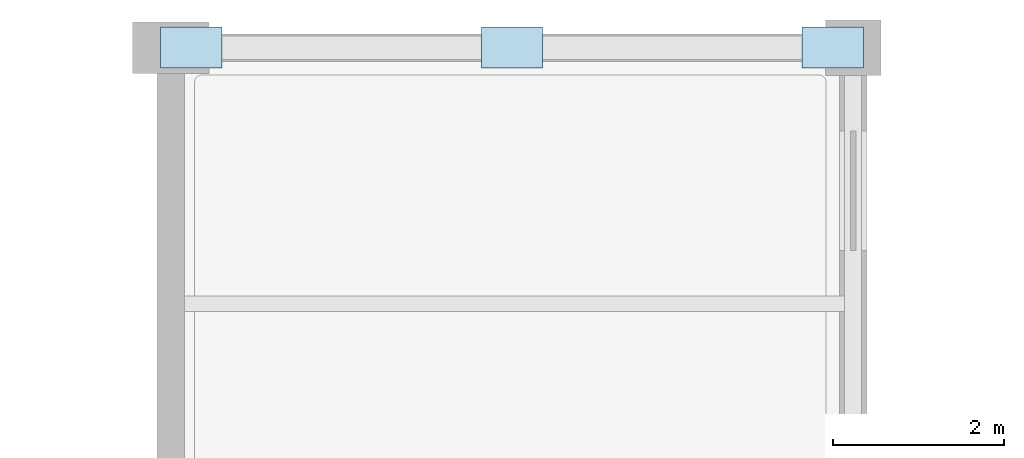
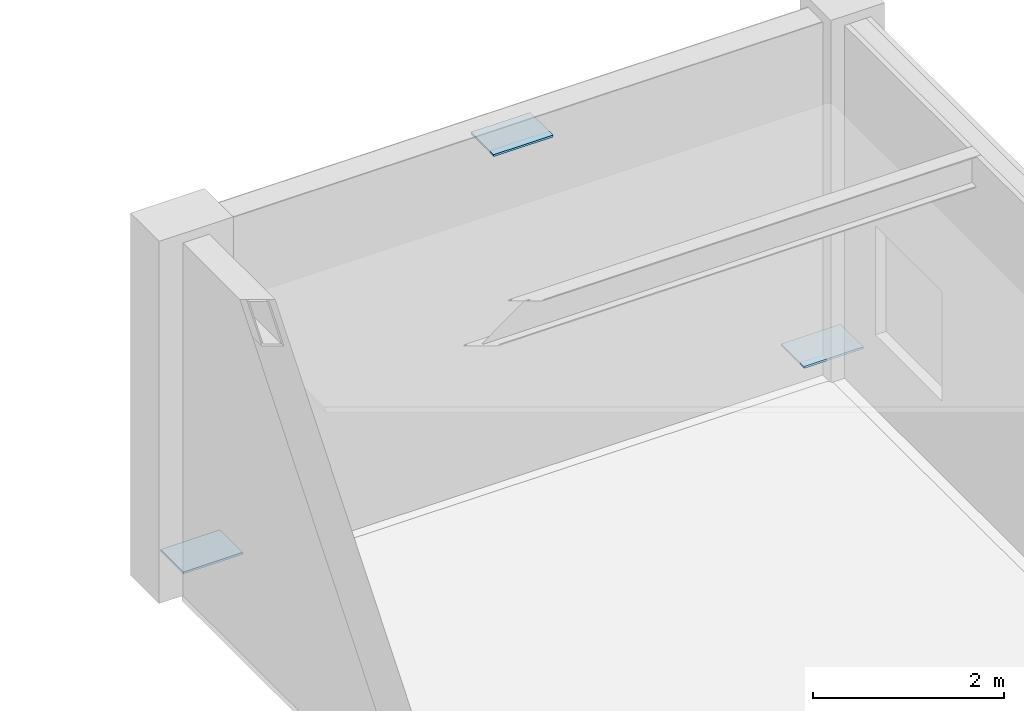
# One storey, part 47 of 72: 3 plates.
"""IFC4 building model written with IfcOpenShell, lengths in metres."""

from ifc_helpers import new_model, si_unit, direction, frame, origin, origin_2d, place, context, subcontext, project, spatial, rectangle, extrude, material, layer, layer_set, type_object, element, save


model = new_model("IFC4")

# Units and contexts
model_context = context("Model", 3, precision=1e-05, world=origin(), true_north=direction((0.0, 1.0)))
body_context = subcontext(model_context, "Body", "Model", "MODEL_VIEW")
ifc_project = project(units=[si_unit("LENGTHUNIT", "METRE"), si_unit("AREAUNIT", "SQUARE_METRE"), si_unit("VOLUMEUNIT", "CUBIC_METRE"), si_unit("PLANEANGLEUNIT", "RADIAN"), si_unit("MASSUNIT", "GRAM", prefix="KILO")], contexts=[model_context])

# Site, building, storey
site_placement = place(None, origin())
site = spatial("IfcSite", under=ifc_project, at=site_placement, CompositionType="ELEMENT")
building_placement = place(site_placement, origin())
building = spatial("IfcBuilding", under=site, at=building_placement, Name="Keelwater Ferry Terminal", CompositionType="ELEMENT")
storey_placement = place(building_placement, frame((0.0, 0.0, 5.39990234375)))
storey = spatial("IfcBuildingStorey", under=building, at=storey_placement, Name="L01", CompositionType="ELEMENT", Elevation=5.39990234375)

# Plates
ifc_material = material(Name="Steel S355", Category="steel")
ifc_layer = layer(ifc_material, 0.02490234375)
ifc_layer_set = layer_set([ifc_layer], Name="Steel S355")
plate_type = type_object("IfcPlateType", Name="GP3 720x480x25", PredefinedType="USERDEFINED", material=ifc_layer_set)
for number, where, z_axis, x_axis, name in (
    (1, (176.0, 126.0, 4.257568359375), (0.0, 0.0, 1.0), (1.0, 0.0, 0.0), "Connection Gusset Plate 120"),
    (2, (172.239990234375, 126.0, 0.2275390625), (0.0, 0.0, 1.0), (1.0, 0.0, 0.0), "Connection Gusset Plate 121"),
    (3, (179.760009765625, 126.0, 0.2275390625), (0.0, 0.0, 1.0), (1.0, 0.0, 0.0), "Connection Gusset Plate 122"),
):
    element("IfcPlate", number, at=place(storey_placement, frame(where, z_axis=z_axis, x_axis=x_axis)), inside=storey, type_object=plate_type, Name=name, ObjectType="GUSSET PLATE", PredefinedType="USERDEFINED", context=body_context, shape_type="SweptSolid", body=[
        extrude(rectangle(XDim=0.719970703125, YDim=0.47998046875, at=origin_2d()), origin(), (0.0, 0.0, 1.0), 0.02490234375),
    ])

save(model, "model.ifc")
